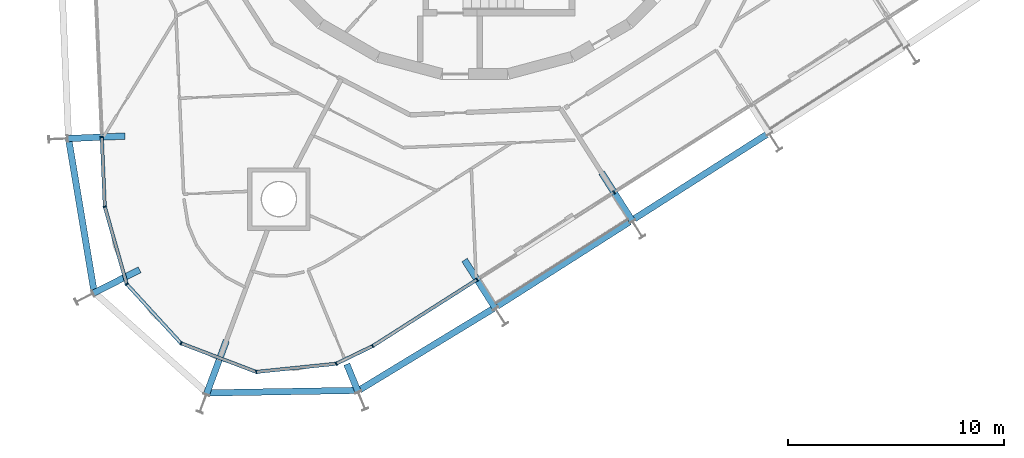
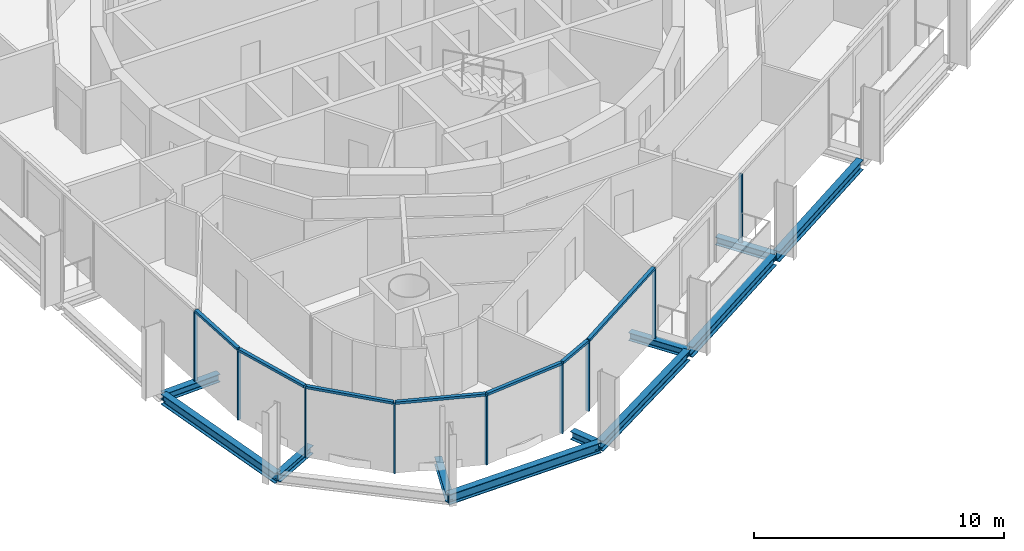
# One storey, part 2 of 18: 16 members, 11 beams, 2 elements without a shape of their own.
"""IFC4 building model written with IfcOpenShell, lengths in metres."""

from ifc_helpers import new_model, si_unit, direction, frame, origin, origin_2d, place, context, subcontext, project, spatial, rectangle, i_section, extrude, material, layer, layer_set, material_profile, profile_set, type_object, element, aggregate, save


model = new_model("IFC4")

# Units and contexts
model_context = context("Model", 3, precision=1e-05, world=origin(), true_north=direction((0.0, 1.0)))
body_context = subcontext(model_context, "Body", "Model", "MODEL_VIEW")
ifc_project = project(units=[si_unit("LENGTHUNIT", "METRE"), si_unit("AREAUNIT", "SQUARE_METRE"), si_unit("VOLUMEUNIT", "CUBIC_METRE"), si_unit("PLANEANGLEUNIT", "RADIAN"), si_unit("MASSUNIT", "GRAM", prefix="KILO")], contexts=[model_context])

# Site, building, storey
site_placement = place(None, origin())
site = spatial("IfcSite", under=ifc_project, at=site_placement, CompositionType="ELEMENT")
building_placement = place(site_placement, origin())
building = spatial("IfcBuilding", under=site, at=building_placement, Name="Spindle Arch Residences", CompositionType="ELEMENT")
storey_placement = place(building_placement, frame((0.0, 0.0, 247.699951171875)))
storey = spatial("IfcBuildingStorey", under=building, at=storey_placement, Name="L63", CompositionType="ELEMENT", Elevation=247.699951171875)

# Curtain wall, members
ifc_material_1 = material(Name="Aluminium bronze unitised frame with tinted glass", Category="aluminium")
ifc_layer_1 = layer(ifc_material_1, 0.159912109375)
ifc_layer_set_1 = layer_set([ifc_layer_1], Name="CW-D corner wall on the fillet arcs")
curtain_wall_type_1 = type_object("IfcCurtainWallType", Name="CW-D corner wall on the fillet arcs", PredefinedType="NOTDEFINED", material=ifc_layer_set_1)
curtain_wall_1_placement = place(storey_placement, origin())
curtain_wall_1 = element("IfcCurtainWall", 1, at=curtain_wall_1_placement, inside=storey, type_object=curtain_wall_type_1, Name="CW-D L63 run 5", PredefinedType="NOTDEFINED")
ifc_material_2 = material(Name="Aluminium bronze anodised mullion", Category="aluminium")
ifc_material_profile_1 = material_profile(ifc_material_2, rectangle(XDim=0.159912109375, YDim=0.06005859375, at=origin_2d()), Name="MU 60x160")
ifc_profile_set_1 = profile_set([ifc_material_profile_1], Name="Aluminium bronze anodised mullion")
member_type_1 = type_object("IfcMemberType", Name="Bronze mullion 60x160", PredefinedType="MULLION", material=ifc_profile_set_1)
member_1_placement = place(storey_placement, frame((-17.295166015625, -14.573486328125, -0.3798828125), z_axis=(0.0, 0.0, 1.0), x_axis=(0.999048221582, 0.043619387365, 0.0)))
member_1 = element("IfcMember", 2, at=member_1_placement, type_object=member_type_1, Name="CW-D mullion 00", PredefinedType="MULLION", context=body_context, shape_type="SweptSolid", body=[
    extrude(rectangle(XDim=0.159912109375, YDim=0.06005859375, at=origin_2d()), origin(), (0.0, 0.0, 1.0), 3.3798828125),
])
member_2_placement = place(storey_placement, frame((-17.154296875, -17.798828125, -0.3798828125), z_axis=(0.0, 0.0, 1.0), x_axis=(0.962059424213, 0.272839997585, 0.0)))
member_2 = element("IfcMember", 3, at=member_2_placement, type_object=member_type_1, Name="CW-D mullion 01", PredefinedType="MULLION", context=body_context, shape_type="SweptSolid", body=[
    extrude(rectangle(XDim=0.159912109375, YDim=0.06005859375, at=origin_2d()), origin(), (0.0, 0.0, 1.0), 3.3798828125),
])
member_3_placement = place(storey_placement, frame((-16.137451171875, -21.384033203125, -0.3798828125), z_axis=(0.0, 0.0, 1.0), x_axis=(0.737277336881, 0.675590207538, 0.0)))
member_3 = element("IfcMember", 4, at=member_3_placement, type_object=member_type_1, Name="CW-D mullion 02", PredefinedType="MULLION", context=body_context, shape_type="SweptSolid", body=[
    extrude(rectangle(XDim=0.159912109375, YDim=0.06005859375, at=origin_2d()), origin(), (0.0, 0.0, 1.0), 3.3798828125),
])
member_4_placement = place(storey_placement, frame((-13.61962890625, -24.1318359375, -0.3798828125), z_axis=(0.0, 0.0, 1.0), x_axis=(0.355650760994, 0.934618925661, 0.0)))
member_4 = element("IfcMember", 5, at=member_4_placement, type_object=member_type_1, Name="CW-D mullion 03", PredefinedType="MULLION", context=body_context, shape_type="SweptSolid", body=[
    extrude(rectangle(XDim=0.159912109375, YDim=0.06005859375, at=origin_2d()), origin(), (0.0, 0.0, 1.0), 3.3798828125),
])
member_5_placement = place(storey_placement, frame((-10.13671875, -25.457275390625, -0.3798828125), z_axis=(0.0, 0.0, 1.0), x_axis=(-0.10163508092, 0.994821748016, 0.0)))
member_5 = element("IfcMember", 6, at=member_5_placement, type_object=member_type_1, Name="CW-D mullion 04", PredefinedType="MULLION", context=body_context, shape_type="SweptSolid", body=[
    extrude(rectangle(XDim=0.159912109375, YDim=0.06005859375, at=origin_2d()), origin(), (0.0, 0.0, 1.0), 3.3798828125),
])
member_6_placement = place(storey_placement, frame((-6.42919921875, -25.078369140625, -0.3798828125), z_axis=(0.0, 0.0, 1.0), x_axis=(-0.435754813823, 0.900065409973, 0.0)))
member_6 = element("IfcMember", 7, at=member_6_placement, type_object=member_type_1, Name="CW-D mullion 05", PredefinedType="MULLION", context=body_context, shape_type="SweptSolid", body=[
    extrude(rectangle(XDim=0.159912109375, YDim=0.06005859375, at=origin_2d()), origin(), (0.0, 0.0, 1.0), 3.3798828125),
])
member_7_placement = place(storey_placement, frame((-4.74072265625, -24.260986328125, -0.3798828125), z_axis=(0.0, 0.0, 1.0), x_axis=(-0.537299608347, 0.843391445813, 0.0)))
member_7 = element("IfcMember", 8, at=member_7_placement, type_object=member_type_1, Name="CW-D mullion 06", PredefinedType="MULLION", context=body_context, shape_type="SweptSolid", body=[
    extrude(rectangle(XDim=0.159912109375, YDim=0.06005859375, at=origin_2d()), origin(), (0.0, 0.0, 1.0), 3.3798828125),
])

ifc_material_3 = material(Name="Aluminium bronze unitised frame with tinted glass", Category="aluminium")
ifc_layer_2 = layer(ifc_material_3, 0.159912109375)
ifc_layer_set_2 = layer_set([ifc_layer_2], Name="CW-C typical residential unitised wall")
curtain_wall_type_2 = type_object("IfcCurtainWallType", Name="CW-C typical residential unitised wall", PredefinedType="NOTDEFINED", material=ifc_layer_set_2)
curtain_wall_2_placement = place(storey_placement, origin())
curtain_wall_2 = element("IfcCurtainWall", 9, at=curtain_wall_2_placement, inside=storey, type_object=curtain_wall_type_2, Name="CW-C L63 run 6", PredefinedType="NOTDEFINED")
member_8_placement = place(storey_placement, frame((0.09912109375, -21.177734375, -0.3798828125), z_axis=(0.0, 0.0, 1.0), x_axis=(-0.537299608347, 0.843391445813, 0.0)))
member_8 = element("IfcMember", 10, at=member_8_placement, type_object=member_type_1, Name="CW-C mullion 20", PredefinedType="MULLION", context=body_context, shape_type="SweptSolid", body=[
    extrude(rectangle(XDim=0.159912109375, YDim=0.06005859375, at=origin_2d()), origin(), (0.0, 0.0, 1.0), 3.3798828125),
])
member_9_placement = place(storey_placement, frame((6.449951171875, -17.1318359375, -0.3798828125), z_axis=(0.0, 0.0, 1.0), x_axis=(-0.537299608347, 0.843391445813, 0.0)))
member_9 = element("IfcMember", 11, at=member_9_placement, type_object=member_type_1, Name="CW-C mullion 21", PredefinedType="MULLION", context=body_context, shape_type="SweptSolid", body=[
    extrude(rectangle(XDim=0.159912109375, YDim=0.06005859375, at=origin_2d()), origin(), (0.0, 0.0, 1.0), 3.3798828125),
])
aggregate(curtain_wall_2, [member_8, member_9])

# Member
ifc_material_4 = material(Name="Aluminium bronze anodised transom", Category="aluminium")
ifc_material_profile_2 = material_profile(ifc_material_4, rectangle(XDim=0.159912109375, YDim=0.1201171875, at=origin_2d()), Name="TR 120x160")
ifc_profile_set_2 = profile_set([ifc_material_profile_2], Name="Aluminium bronze anodised transom")
member_type_2 = type_object("IfcMemberType", Name="Bronze transom 120x160", PredefinedType="USERDEFINED", material=ifc_profile_set_2)
member_10_placement = place(storey_placement, frame((-17.293701171875, -14.603271484375, 3.06005859375), z_axis=(0.043611098121, -0.999048583464, 0.0), x_axis=(0.999048583464, 0.043611098121, 0.0)))
member_10 = element("IfcMember", 12, at=member_10_placement, type_object=member_type_2, Name="CW-D transom 00", ObjectType="TRANSOM", PredefinedType="USERDEFINED", context=body_context, shape_type="SweptSolid", body=[
    extrude(rectangle(XDim=0.159912109375, YDim=0.1201171875, at=origin_2d()), origin(), (0.0, 0.0, 1.0), 3.16845703125),
])

member_11_placement = place(storey_placement, frame((-17.146240234375, -17.82763671875, 3.06005859375), z_axis=(0.272856293247, -0.962054802616, 0.0), x_axis=(0.962054802616, 0.272856293247, 0.0)))
member_11 = element("IfcMember", 13, at=member_11_placement, type_object=member_type_2, Name="CW-D transom 01", ObjectType="TRANSOM", PredefinedType="USERDEFINED", context=body_context, shape_type="SweptSolid", body=[
    extrude(rectangle(XDim=0.159912109375, YDim=0.1201171875, at=origin_2d()), origin(), (0.0, 0.0, 1.0), 3.666748046875),
])

member_12_placement = place(storey_placement, frame((-16.1171875, -21.40625, 3.06005859375), z_axis=(0.675607033687, -0.737261918204, 0.0), x_axis=(0.737261918204, 0.675607033687, 0.0)))
member_12 = element("IfcMember", 14, at=member_12_placement, type_object=member_type_2, Name="CW-D transom 02", ObjectType="TRANSOM", PredefinedType="USERDEFINED", context=body_context, shape_type="SweptSolid", body=[
    extrude(rectangle(XDim=0.159912109375, YDim=0.1201171875, at=origin_2d()), origin(), (0.0, 0.0, 1.0), 3.666748046875),
])

member_13_placement = place(storey_placement, frame((-13.591796875, -24.142578125, 3.06005859375), z_axis=(0.934630056182, -0.355621509587, 0.0), x_axis=(0.355621509587, 0.934630056182, 0.0)))
member_13 = element("IfcMember", 15, at=member_13_placement, type_object=member_type_2, Name="CW-D transom 03", ObjectType="TRANSOM", PredefinedType="USERDEFINED", context=body_context, shape_type="SweptSolid", body=[
    extrude(rectangle(XDim=0.159912109375, YDim=0.1201171875, at=origin_2d()), origin(), (0.0, 0.0, 1.0), 3.666748046875),
])

member_14_placement = place(storey_placement, frame((-10.106689453125, -25.4541015625, 3.06005859375), z_axis=(0.994824669398, 0.101606481862, 0.0), x_axis=(-0.101606481862, 0.994824669398, 0.0)))
member_14 = element("IfcMember", 16, at=member_14_placement, type_object=member_type_2, Name="CW-D transom 04", ObjectType="TRANSOM", PredefinedType="USERDEFINED", context=body_context, shape_type="SweptSolid", body=[
    extrude(rectangle(XDim=0.159912109375, YDim=0.1201171875, at=origin_2d()), origin(), (0.0, 0.0, 1.0), 3.666748046875),
])

member_15_placement = place(storey_placement, frame((-6.402099609375, -25.0654296875, 3.06005859375), z_axis=(0.900028291694, 0.435831474484, 0.0), x_axis=(-0.435831474484, 0.900028291694, 0.0)))
member_15 = element("IfcMember", 17, at=member_15_placement, type_object=member_type_2, Name="CW-D transom 05", ObjectType="TRANSOM", PredefinedType="USERDEFINED", context=body_context, shape_type="SweptSolid", body=[
    extrude(rectangle(XDim=0.159912109375, YDim=0.1201171875, at=origin_2d()), origin(), (0.0, 0.0, 1.0), 1.816162109375),
])

member_16_placement = place(storey_placement, frame((-4.71533203125, -24.244873046875, 3.06005859375), z_axis=(0.843399381096, 0.537287152244, 0.0), x_axis=(-0.537287152244, 0.843399381096, 0.0)))
member_16 = element("IfcMember", 18, at=member_16_placement, type_object=member_type_2, Name="CW-D transom 06", ObjectType="TRANSOM", PredefinedType="USERDEFINED", context=body_context, shape_type="SweptSolid", body=[
    extrude(rectangle(XDim=0.159912109375, YDim=0.1201171875, at=origin_2d()), origin(), (0.0, 0.0, 1.0), 5.678466796875),
])

aggregate(curtain_wall_1, [member_1, member_10, member_2, member_11, member_3, member_12, member_4, member_13, member_5, member_14, member_6, member_15, member_7, member_16])

# Beams
ifc_material_5 = material(Name="Steel S460ML, intumescent coating R 120", Category="steel")
ifc_material_profile_3 = material_profile(ifc_material_5, i_section(OverallWidth=0.300048828125, OverallDepth=0.5, WebThickness=0.014404296875, FlangeThickness=0.028076171875, FilletRadius=0.027099609375, at=origin_2d()), Name="HEB 500")
ifc_profile_set_3 = profile_set([ifc_material_profile_3], Name="Steel S460ML, intumescent coating R 120")
beam_type_1 = type_object("IfcBeamType", Name="Exoskeleton edge beam HEB 500", PredefinedType="BEAM", material=ifc_profile_set_3)
beam_1_placement = place(storey_placement, frame((-18.82763671875, -14.66796875, -0.6298828125), z_axis=(0.164206425822, -0.986425998095, 0.0), x_axis=(0.986425998095, 0.164206425822, 0.0)))
element("IfcBeam", 19, at=beam_1_placement, inside=storey, type_object=beam_type_1, Name="Exoskeleton edge beam 17", PredefinedType="BEAM", context=body_context, shape_type="SweptSolid", body=[
    extrude(i_section(OverallWidth=0.300048828125, OverallDepth=0.5, WebThickness=0.014404296875, FlangeThickness=0.028076171875, FilletRadius=0.027099609375, at=origin_2d()), origin(), (0.0, 0.0, 1.0), 7.196044921875),
])
beam_2_placement = place(storey_placement, frame((-12.4775390625, -26.431884765625, -0.6298828125), z_axis=(0.999854421293, 0.017062714363, 0.0), x_axis=(-0.017062714363, 0.999854421293, 0.0)))
element("IfcBeam", 20, at=beam_2_placement, inside=storey, type_object=beam_type_1, Name="Exoskeleton edge beam 19", PredefinedType="BEAM", context=body_context, shape_type="SweptSolid", body=[
    extrude(i_section(OverallWidth=0.300048828125, OverallDepth=0.5, WebThickness=0.014404296875, FlangeThickness=0.028076171875, FilletRadius=0.027099609375, at=origin_2d()), origin(), (0.0, 0.0, 1.0), 7.096923828125),
])
beam_3_placement = place(storey_placement, frame((-5.353515625, -26.294921875, -0.6298828125), z_axis=(0.854518430604, 0.519421073656, 0.0), x_axis=(-0.519421073656, 0.854518430604, 0.0)))
element("IfcBeam", 21, at=beam_3_placement, inside=storey, type_object=beam_type_1, Name="Exoskeleton edge beam 20", PredefinedType="BEAM", context=body_context, shape_type="SweptSolid", body=[
    extrude(i_section(OverallWidth=0.300048828125, OverallDepth=0.5, WebThickness=0.014404296875, FlangeThickness=0.028076171875, FilletRadius=0.027099609375, at=origin_2d()), origin(), (0.0, 0.0, 1.0), 7.262451171875),
])
for number, where, z_axis, x_axis, name in (
    (22, (1.0361328125, -22.406494140625, -0.6298828125), (0.843406961456, 0.53727525289, 0.0), (-0.53727525289, 0.843406961456, 0.0), "Exoskeleton edge beam 21"),
    (23, (7.386962890625, -18.360595703125, -0.6298828125), (0.843406961456, 0.53727525289, 0.0), (-0.53727525289, 0.843406961456, 0.0), "Exoskeleton edge beam 22"),
):
    element("IfcBeam", number, at=place(storey_placement, frame(where, z_axis=z_axis, x_axis=x_axis)), inside=storey, type_object=beam_type_1, Name=name, PredefinedType="BEAM", context=body_context, shape_type="SweptSolid", body=[
        extrude(i_section(OverallWidth=0.300048828125, OverallDepth=0.5, WebThickness=0.014404296875, FlangeThickness=0.028076171875, FilletRadius=0.027099609375, at=origin_2d()), origin(), (0.0, 0.0, 1.0), 7.27001953125),
    ])
ifc_material_6 = material(Name="Steel S460ML, intumescent coating R 120", Category="steel")
ifc_material_profile_4 = material_profile(ifc_material_6, i_section(OverallWidth=0.300048828125, OverallDepth=0.389892578125, WebThickness=0.010986328125, FlangeThickness=0.01904296875, FilletRadius=0.027099609375, at=origin_2d()), Name="HEA 400")
ifc_profile_set_4 = profile_set([ifc_material_profile_4], Name="Steel S460ML, intumescent coating R 120")
beam_type_2 = type_object("IfcBeamType", Name="Floor outrigger HEA 400", PredefinedType="BEAM", material=ifc_profile_set_4)
beam_4_placement = place(storey_placement, frame((-18.863525390625, -14.641845703125, -0.574951171875), z_axis=(0.999049889571, 0.043581167368, 0.0), x_axis=(-0.043581167368, 0.999049889571, 0.0)))
element("IfcBeam", 24, at=beam_4_placement, inside=storey, type_object=beam_type_2, Name="Floor outrigger 17", PredefinedType="BEAM", context=body_context, shape_type="SweptSolid", body=[
    extrude(i_section(OverallWidth=0.300048828125, OverallDepth=0.389892578125, WebThickness=0.010986328125, FlangeThickness=0.01904296875, FilletRadius=0.027099609375, at=origin_2d()), origin(), (0.0, 0.0, 1.0), 2.649658203125),
])
beam_5_placement = place(storey_placement, frame((-17.687744140625, -21.812744140625, -0.574951171875), z_axis=(0.891781094186, 0.452467103835, 0.0), x_axis=(-0.452467103835, 0.891781094186, 0.0)))
element("IfcBeam", 25, at=beam_5_placement, inside=storey, type_object=beam_type_2, Name="Floor outrigger 18", PredefinedType="BEAM", context=body_context, shape_type="SweptSolid", body=[
    extrude(i_section(OverallWidth=0.300048828125, OverallDepth=0.389892578125, WebThickness=0.010986328125, FlangeThickness=0.01904296875, FilletRadius=0.027099609375, at=origin_2d()), origin(), (0.0, 0.0, 1.0), 2.4130859375),
])
beam_6_placement = place(storey_placement, frame((-12.442626953125, -26.4921875, -0.574951171875), z_axis=(0.348274434102, 0.937392617077, 0.0), x_axis=(-0.937392617077, 0.348274434102, 0.0)))
element("IfcBeam", 26, at=beam_6_placement, inside=storey, type_object=beam_type_2, Name="Floor outrigger 19", PredefinedType="BEAM", context=body_context, shape_type="SweptSolid", body=[
    extrude(i_section(OverallWidth=0.300048828125, OverallDepth=0.389892578125, WebThickness=0.010986328125, FlangeThickness=0.01904296875, FilletRadius=0.027099609375, at=origin_2d()), origin(), (0.0, 0.0, 1.0), 2.64990234375),
])
beam_7_placement = place(storey_placement, frame((-5.41455078125, -26.372314453125, -0.574951171875), z_axis=(-0.380108293875, 0.924941990034, 0.0), x_axis=(-0.924941990034, -0.380108293875, 0.0)))
element("IfcBeam", 27, at=beam_7_placement, inside=storey, type_object=beam_type_2, Name="Floor outrigger 20", PredefinedType="BEAM", context=body_context, shape_type="SweptSolid", body=[
    extrude(i_section(OverallWidth=0.300048828125, OverallDepth=0.389892578125, WebThickness=0.010986328125, FlangeThickness=0.01904296875, FilletRadius=0.027099609375, at=origin_2d()), origin(), (0.0, 0.0, 1.0), 1.37841796875),
])
for number, where, z_axis, x_axis, name in (
    (28, (0.942626953125, -22.501708984375, -0.574951171875), (-0.537316570745, 0.843380639334, 0.0), (-0.843380639334, -0.537316570745, 0.0), "Floor outrigger 21"),
    (29, (7.29345703125, -18.455810546875, -0.574951171875), (-0.537316570745, 0.843380639334, 0.0), (-0.843380639334, -0.537316570745, 0.0), "Floor outrigger 22"),
):
    element("IfcBeam", number, at=place(storey_placement, frame(where, z_axis=z_axis, x_axis=x_axis)), inside=storey, type_object=beam_type_2, Name=name, PredefinedType="BEAM", context=body_context, shape_type="SweptSolid", body=[
        extrude(i_section(OverallWidth=0.300048828125, OverallDepth=0.389892578125, WebThickness=0.010986328125, FlangeThickness=0.01904296875, FilletRadius=0.027099609375, at=origin_2d()), origin(), (0.0, 0.0, 1.0), 2.64990234375),
    ])

save(model, "model.ifc")
